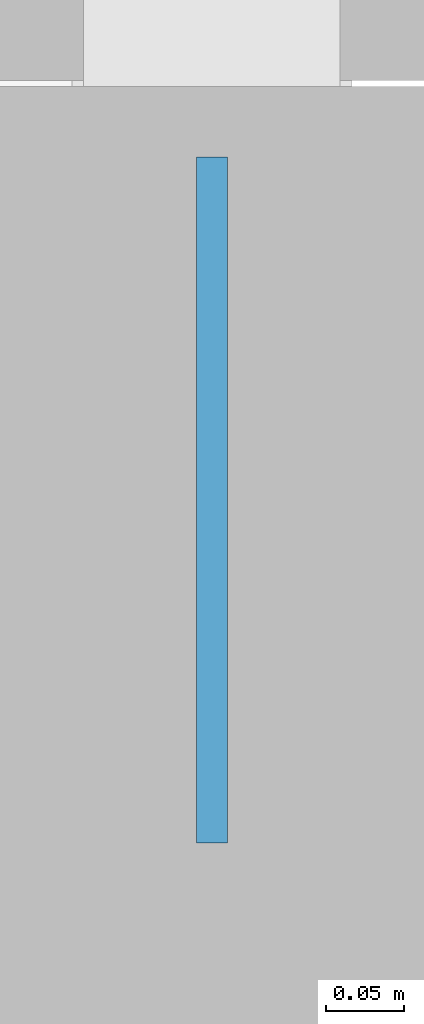
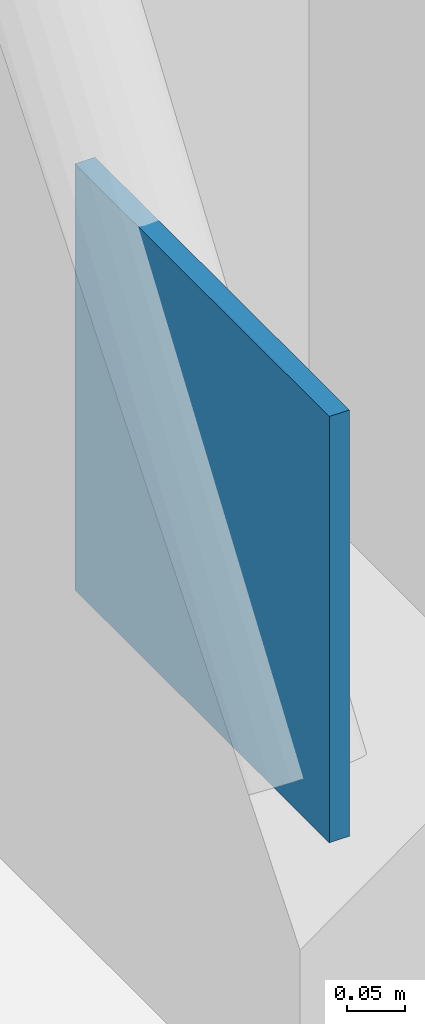
# One storey, part 56 of 76: 1 discrete accessory.
"""IFC4 building model written with IfcOpenShell, lengths in metres."""

from ifc_helpers import new_model, si_unit, direction, frame, origin, origin_2d, place, context, subcontext, project, spatial, rectangle, extrude, material, layer, layer_set, type_object, element, save


model = new_model("IFC4")

# Units and contexts
model_context = context("Model", 3, precision=1e-05, world=origin(), true_north=direction((0.0, 1.0)))
body_context = subcontext(model_context, "Body", "Model", "MODEL_VIEW")
ifc_project = project(units=[si_unit("LENGTHUNIT", "METRE"), si_unit("AREAUNIT", "SQUARE_METRE"), si_unit("VOLUMEUNIT", "CUBIC_METRE"), si_unit("PLANEANGLEUNIT", "RADIAN"), si_unit("MASSUNIT", "GRAM", prefix="KILO")], contexts=[model_context])

# Site, building, storey
site_placement = place(None, origin())
site = spatial("IfcSite", under=ifc_project, at=site_placement, CompositionType="ELEMENT")
building_placement = place(site_placement, origin())
building = spatial("IfcBuilding", under=site, at=building_placement, Name="Varnakota Square Police Headquarters", CompositionType="ELEMENT")
storey_placement = place(building_placement, origin())
storey = spatial("IfcBuildingStorey", under=building, at=storey_placement, Name="L00", CompositionType="ELEMENT", Elevation=0.0)

# Discrete accessory
ifc_material = material(Name="Steel IS 2062 Grade 350", Category="steel")
ifc_layer = layer(ifc_material, 0.64990234375, Name="Steel IS 2062 Grade 350")
ifc_layer_set = layer_set([ifc_layer], Name="Steel IS 2062 Grade 350")
discrete_accessory_type = type_object("IfcDiscreteAccessoryType", Name="ACC-EMB-350", PredefinedType="BRACKET", material=ifc_layer_set)
discrete_accessory_placement = place(storey_placement, frame((42.0, 27.159912109375, 0.02490234375), z_axis=(0.0, 0.0, 1.0), x_axis=(0.0, 1.0, 0.0)))
element("IfcDiscreteAccessory", 1, at=discrete_accessory_placement, inside=storey, type_object=discrete_accessory_type, Name="Brace gusset connection plate BF3 L00 L", PredefinedType="BRACKET", context=body_context, shape_type="SweptSolid", body=[
    extrude(rectangle(XDim=0.43994140625, YDim=0.02001953125, at=origin_2d()), origin(), (0.0, 0.0, 1.0), 0.449951171875),
])

save(model, "model.ifc")
